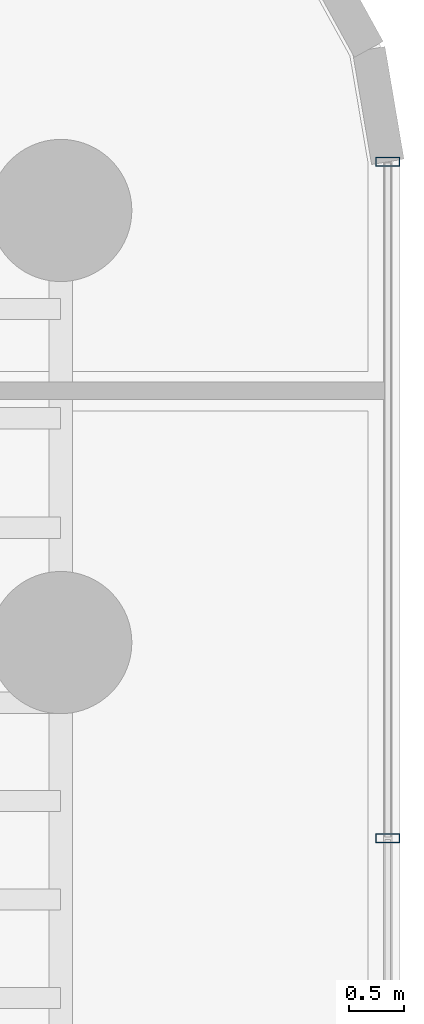
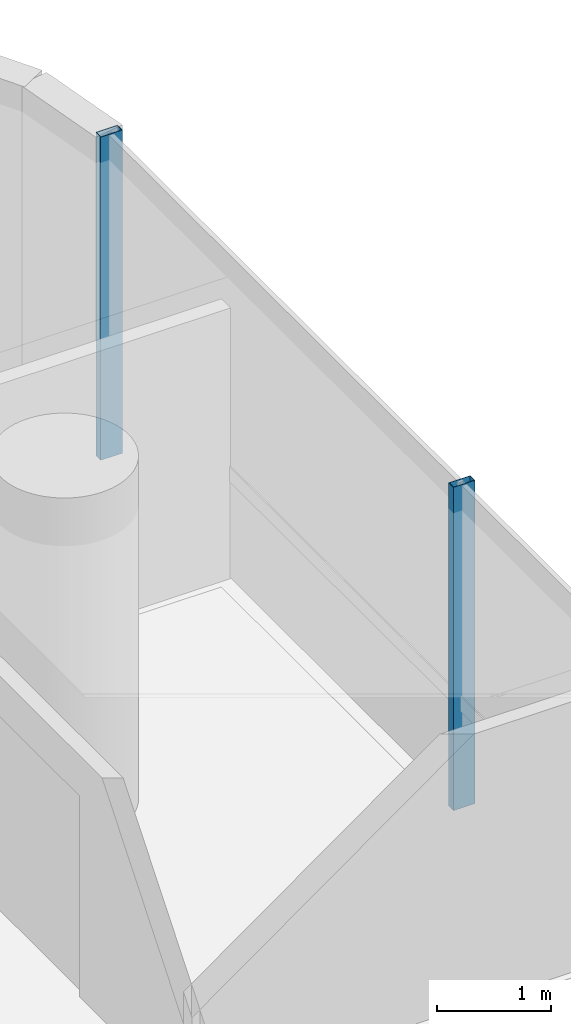
# One storey, part 28 of 41: 2 members, 1 element without a shape of its own.
"""IFC4 building model written with IfcOpenShell, lengths in metres."""

from ifc_helpers import new_model, si_unit, direction, frame, origin, origin_2d, place, context, subcontext, project, spatial, hollow_rectangle, extrude, source, transform, mapped, material, material_profile, profile_set, type_object, element, aggregate, save


model = new_model("IFC4")

# Units and contexts
model_context = context("Model", 3, precision=1e-05, world=origin(), true_north=direction((0.0, 1.0)))
body_context = subcontext(model_context, "Body", "Model", "MODEL_VIEW")
ifc_project = project(units=[si_unit("LENGTHUNIT", "METRE"), si_unit("AREAUNIT", "SQUARE_METRE"), si_unit("VOLUMEUNIT", "CUBIC_METRE"), si_unit("PLANEANGLEUNIT", "RADIAN"), si_unit("MASSUNIT", "GRAM", prefix="KILO")], contexts=[model_context])

# Site, building, storey
site_placement = place(None, origin())
site = spatial("IfcSite", under=ifc_project, at=site_placement, CompositionType="ELEMENT")
building_placement = place(site_placement, origin())
building = spatial("IfcBuilding", under=site, at=building_placement, Name="Valdorenza Pilgrim Sanctuary Tower", CompositionType="ELEMENT")
storey_placement = place(building_placement, frame((0.0, 0.0, 85.199951171875)))
storey = spatial("IfcBuildingStorey", under=building, at=storey_placement, Name="L21", CompositionType="ELEMENT", Elevation=85.199951171875)

# Curtain wall, members
ifc_material_1 = material(Name="Curtain-wall IGU glazing", Category="glass")
curtain_wall_type = type_object("IfcCurtainWallType", Name="CW-SYS-03", PredefinedType="NOTDEFINED", material=ifc_material_1)
curtain_wall_placement = place(storey_placement, origin())
curtain_wall = element("IfcCurtainWall", 1, at=curtain_wall_placement, inside=storey, type_object=curtain_wall_type, Name="L21 Curtain Wall CW-L21-1-21", PredefinedType="NOTDEFINED")
ifc_material_2 = material(Name="Anodised aluminium AW-6060", Category="aluminium")
ifc_material_profile = material_profile(ifc_material_2, hollow_rectangle(XDim=0.0849609375, YDim=0.219970703125, WallThickness=0.0048828125, at=origin_2d()), Name="ALU-M 220x85x5")
ifc_profile_set = profile_set([ifc_material_profile], Name="Anodised aluminium AW-6060")
member_type = type_object("IfcMemberType", Name="CW-MUL-03", PredefinedType="MULLION", material=ifc_profile_set)
shared_shape = source(origin(), body_context, "Body", "SweptSolid", [
    extrude(hollow_rectangle(XDim=0.0849609375, YDim=0.219970703125, WallThickness=0.0048828125, at=origin_2d()), origin(), (0.0, 0.0, 1.0), 3.4599609375),
])
member_1_placement = place(storey_placement, frame((31.389892578125, 13.945068359375, 0.0), z_axis=(0.0, 0.0, 1.0), x_axis=(0.0, -1.0, 0.0)))
member_1 = element("IfcMember", 2, at=member_1_placement, type_object=member_type, Name="CW-L21-1-21 Mullion 1", PredefinedType="MULLION", context=body_context, shape_type="MappedRepresentation", body=[
    mapped(shared_shape, transform((0.0, 0.0, 0.0), x_axis=(1.0, 0.0, 0.0), y_axis=(0.0, 1.0, 0.0), z_axis=(0.0, 0.0, 1.0), scale=1.0)),
])
member_2_placement = place(storey_placement, frame((31.389892578125, 7.761474609375, 0.0), z_axis=(0.0, 0.0, 1.0), x_axis=(0.0, -1.0, 0.0)))
member_2 = element("IfcMember", 3, at=member_2_placement, type_object=member_type, Name="CW-L21-1-21 Mullion 2", PredefinedType="MULLION", context=body_context, shape_type="MappedRepresentation", body=[
    mapped(shared_shape, transform((0.0, 0.0, 0.0), x_axis=(1.0, 0.0, 0.0), y_axis=(0.0, 1.0, 0.0), z_axis=(0.0, 0.0, 1.0), scale=1.0)),
])
aggregate(curtain_wall, [member_1, member_2])

save(model, "model.ifc")
